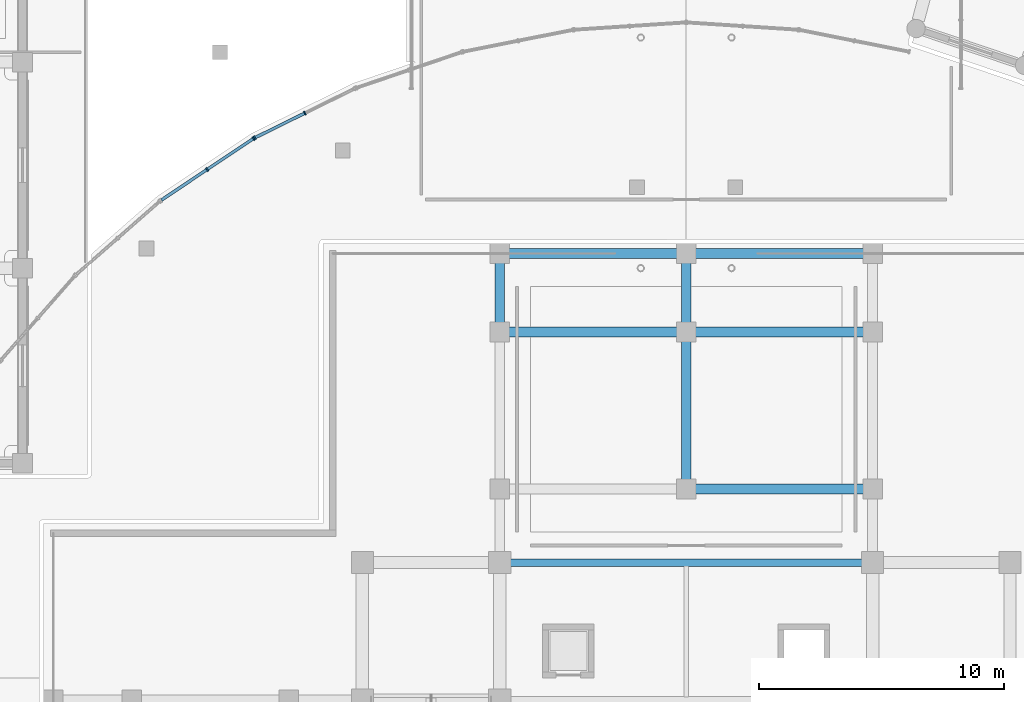
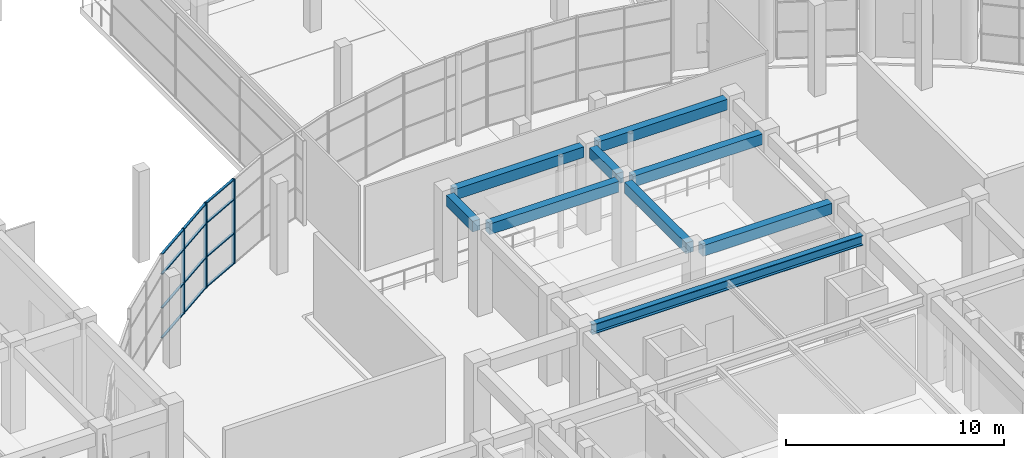
# One storey, part 38 of 99: 16 members, 9 beams, 2 elements without a shape of their own.
"""IFC4 building model written with IfcOpenShell, lengths in metres."""

from ifc_helpers import new_model, si_unit, direction, frame, origin, origin_2d, place, context, subcontext, project, spatial, rectangle, i_section, extrude, material, material_profile, profile_set, type_object, element, aggregate, save


model = new_model("IFC4")

# Units and contexts
model_context = context("Model", 3, precision=1e-05, world=origin(), true_north=direction((0.0, 1.0)))
body_context = subcontext(model_context, "Body", "Model", "MODEL_VIEW")
ifc_project = project(units=[si_unit("LENGTHUNIT", "METRE"), si_unit("AREAUNIT", "SQUARE_METRE"), si_unit("VOLUMEUNIT", "CUBIC_METRE"), si_unit("PLANEANGLEUNIT", "RADIAN"), si_unit("MASSUNIT", "GRAM", prefix="KILO")], contexts=[model_context])

# Site, building, storey
site_placement = place(None, origin())
site = spatial("IfcSite", under=ifc_project, at=site_placement, CompositionType="ELEMENT")
building_placement = place(site_placement, origin())
building = spatial("IfcBuilding", under=site, at=building_placement, Name="Saryqyr Civic Hall", CompositionType="ELEMENT")
storey_placement = place(building_placement, origin())
storey = spatial("IfcBuildingStorey", under=building, at=storey_placement, Name="L00", CompositionType="ELEMENT", Elevation=0.0)

# Curtain wall, members
ifc_material_1 = material(Name="Anodised aluminium and triple low-E glass", Category="aluminium")
curtain_wall_type = type_object("IfcCurtainWallType", Name="ENV-CW-STD-67", PredefinedType="NOTDEFINED", material=ifc_material_1)
curtain_wall_1_placement = place(storey_placement, origin())
curtain_wall_1 = element("IfcCurtainWall", 1, at=curtain_wall_1_placement, inside=storey, type_object=curtain_wall_type, Name="Curtain wall V2-PERIM-CW-L00-15", PredefinedType="NOTDEFINED")
ifc_material_2 = material(Name="Anodised aluminium", Category="aluminium")
ifc_material_profile_1 = material_profile(ifc_material_2, rectangle(XDim=0.06005859375, YDim=0.159912109375, at=origin_2d()), Name="ALU MULLION 60x160")
ifc_profile_set_1 = profile_set([ifc_material_profile_1], Name="Anodised aluminium")
member_type_1 = type_object("IfcMemberType", Name="ENV-CW-MUL-180", PredefinedType="MULLION", material=ifc_profile_set_1)
member_1_placement = place(storey_placement, frame((39.4169921875, 114.5146484375, 0.0), z_axis=(0.0, 0.0, 1.0), x_axis=(0.896875116746, 0.442283873729, 0.0)))
member_1 = element("IfcMember", 2, at=member_1_placement, type_object=member_type_1, Name="CW-67 mullion 1", PredefinedType="MULLION", context=body_context, shape_type="SweptSolid", body=[
    extrude(rectangle(XDim=0.06005859375, YDim=0.159912109375, at=origin_2d()), origin(), (0.0, 0.0, 1.0), 4.75),
])
member_2_placement = place(storey_placement, frame((41.4560546875, 115.520263671875, 0.0), z_axis=(0.0, 0.0, 1.0), x_axis=(0.896875116746, 0.442283873729, 0.0)))
member_2 = element("IfcMember", 3, at=member_2_placement, type_object=member_type_1, Name="CW-67 mullion 2", PredefinedType="MULLION", context=body_context, shape_type="SweptSolid", body=[
    extrude(rectangle(XDim=0.06005859375, YDim=0.159912109375, at=origin_2d()), origin(), (0.0, 0.0, 1.0), 4.75),
])

curtain_wall_2_placement = place(storey_placement, origin())
curtain_wall_2 = element("IfcCurtainWall", 4, at=curtain_wall_2_placement, inside=storey, type_object=curtain_wall_type, Name="Curtain wall V2-PERIM-CW-L00-16", PredefinedType="NOTDEFINED")
member_3_placement = place(storey_placement, frame((37.474609375, 113.2216796875, 0.0), z_axis=(0.0, 0.0, 1.0), x_axis=(0.831472128078, 0.555566467877, 0.0)))
member_3 = element("IfcMember", 5, at=member_3_placement, type_object=member_type_1, Name="CW-67 mullion 2", PredefinedType="MULLION", context=body_context, shape_type="SweptSolid", body=[
    extrude(rectangle(XDim=0.06005859375, YDim=0.159912109375, at=origin_2d()), origin(), (0.0, 0.0, 1.0), 4.75),
])
member_4_placement = place(storey_placement, frame((39.364990234375, 114.484619140625, 0.0), z_axis=(0.0, 0.0, 1.0), x_axis=(0.831472128078, 0.555566467877, 0.0)))
member_4 = element("IfcMember", 6, at=member_4_placement, type_object=member_type_1, Name="CW-67 mullion 3", PredefinedType="MULLION", context=body_context, shape_type="SweptSolid", body=[
    extrude(rectangle(XDim=0.06005859375, YDim=0.159912109375, at=origin_2d()), origin(), (0.0, 0.0, 1.0), 4.75),
])

# Member
ifc_material_profile_2 = material_profile(ifc_material_2, rectangle(XDim=0.1201171875, YDim=0.06005859375, at=origin_2d()), Name="ALU TRANSOM 120x60")
ifc_profile_set_2 = profile_set([ifc_material_profile_2], Name="Anodised aluminium")
member_type_2 = type_object("IfcMemberType", Name="ENV-CW-TRN-150", PredefinedType="USERDEFINED", material=ifc_profile_set_2)
member_5_placement = place(storey_placement, frame((39.44384765625, 114.52783203125, 0.030029296875), z_axis=(0.896862479168, 0.442309499627, 0.0), x_axis=(-0.442309499627, 0.896862479168, 0.0)))
member_5 = element("IfcMember", 7, at=member_5_placement, type_object=member_type_2, Name="CW-67 transom 1.1", ObjectType="TRANSOM", PredefinedType="USERDEFINED", context=body_context, shape_type="SweptSolid", body=[
    extrude(rectangle(XDim=0.1201171875, YDim=0.06005859375, at=origin_2d()), origin(), (0.0, 0.0, 1.0), 2.21337890625),
])

member_6_placement = place(storey_placement, frame((39.44384765625, 114.52783203125, 1.7099609375), z_axis=(0.896862479168, 0.442309499627, 0.0), x_axis=(-0.442309499627, 0.896862479168, 0.0)))
member_6 = element("IfcMember", 8, at=member_6_placement, type_object=member_type_2, Name="CW-67 transom 1.2", ObjectType="TRANSOM", PredefinedType="USERDEFINED", context=body_context, shape_type="SweptSolid", body=[
    extrude(rectangle(XDim=0.1201171875, YDim=0.06005859375, at=origin_2d()), origin(), (0.0, 0.0, 1.0), 2.21337890625),
])

member_7_placement = place(storey_placement, frame((39.44384765625, 114.52783203125, 3.610107421875), z_axis=(0.896862479168, 0.442309499627, 0.0), x_axis=(-0.442309499627, 0.896862479168, 0.0)))
member_7 = element("IfcMember", 9, at=member_7_placement, type_object=member_type_2, Name="CW-67 transom 1.3", ObjectType="TRANSOM", PredefinedType="USERDEFINED", context=body_context, shape_type="SweptSolid", body=[
    extrude(rectangle(XDim=0.1201171875, YDim=0.06005859375, at=origin_2d()), origin(), (0.0, 0.0, 1.0), 2.21337890625),
])

member_8_placement = place(storey_placement, frame((39.44384765625, 114.52783203125, 4.719970703125), z_axis=(0.896862479168, 0.442309499627, 0.0), x_axis=(-0.442309499627, 0.896862479168, 0.0)))
member_8 = element("IfcMember", 10, at=member_8_placement, type_object=member_type_2, Name="CW-67 transom 1.4", ObjectType="TRANSOM", PredefinedType="USERDEFINED", context=body_context, shape_type="SweptSolid", body=[
    extrude(rectangle(XDim=0.1201171875, YDim=0.06005859375, at=origin_2d()), origin(), (0.0, 0.0, 1.0), 2.21337890625),
])

aggregate(curtain_wall_1, [member_1, member_2, member_5, member_6, member_7, member_8])

member_9_placement = place(storey_placement, frame((35.609375, 111.975341796875, 0.030029296875), z_axis=(0.831455883958, 0.555590778389, 0.0), x_axis=(-0.555590778389, 0.831455883958, 0.0)))
member_9 = element("IfcMember", 11, at=member_9_placement, type_object=member_type_2, Name="CW-67 transom 1.1", ObjectType="TRANSOM", PredefinedType="USERDEFINED", context=body_context, shape_type="SweptSolid", body=[
    extrude(rectangle(XDim=0.1201171875, YDim=0.06005859375, at=origin_2d()), origin(), (0.0, 0.0, 1.0), 2.21337890625),
])

member_10_placement = place(storey_placement, frame((35.609375, 111.975341796875, 1.7099609375), z_axis=(0.831455883958, 0.555590778389, 0.0), x_axis=(-0.555590778389, 0.831455883958, 0.0)))
member_10 = element("IfcMember", 12, at=member_10_placement, type_object=member_type_2, Name="CW-67 transom 1.2", ObjectType="TRANSOM", PredefinedType="USERDEFINED", context=body_context, shape_type="SweptSolid", body=[
    extrude(rectangle(XDim=0.1201171875, YDim=0.06005859375, at=origin_2d()), origin(), (0.0, 0.0, 1.0), 2.21337890625),
])

member_11_placement = place(storey_placement, frame((35.609375, 111.975341796875, 3.610107421875), z_axis=(0.831455883958, 0.555590778389, 0.0), x_axis=(-0.555590778389, 0.831455883958, 0.0)))
member_11 = element("IfcMember", 13, at=member_11_placement, type_object=member_type_2, Name="CW-67 transom 1.3", ObjectType="TRANSOM", PredefinedType="USERDEFINED", context=body_context, shape_type="SweptSolid", body=[
    extrude(rectangle(XDim=0.1201171875, YDim=0.06005859375, at=origin_2d()), origin(), (0.0, 0.0, 1.0), 2.21337890625),
])

member_12_placement = place(storey_placement, frame((35.609375, 111.975341796875, 4.719970703125), z_axis=(0.831455883958, 0.555590778389, 0.0), x_axis=(-0.555590778389, 0.831455883958, 0.0)))
member_12 = element("IfcMember", 14, at=member_12_placement, type_object=member_type_2, Name="CW-67 transom 1.4", ObjectType="TRANSOM", PredefinedType="USERDEFINED", context=body_context, shape_type="SweptSolid", body=[
    extrude(rectangle(XDim=0.1201171875, YDim=0.06005859375, at=origin_2d()), origin(), (0.0, 0.0, 1.0), 2.21337890625),
])

member_13_placement = place(storey_placement, frame((37.499755859375, 113.23828125, 0.030029296875), z_axis=(0.831455883958, 0.555590778389, 0.0), x_axis=(-0.555590778389, 0.831455883958, 0.0)))
member_13 = element("IfcMember", 15, at=member_13_placement, type_object=member_type_2, Name="CW-67 transom 2.1", ObjectType="TRANSOM", PredefinedType="USERDEFINED", context=body_context, shape_type="SweptSolid", body=[
    extrude(rectangle(XDim=0.1201171875, YDim=0.06005859375, at=origin_2d()), origin(), (0.0, 0.0, 1.0), 2.21337890625),
])

member_14_placement = place(storey_placement, frame((37.499755859375, 113.23828125, 1.7099609375), z_axis=(0.831455883958, 0.555590778389, 0.0), x_axis=(-0.555590778389, 0.831455883958, 0.0)))
member_14 = element("IfcMember", 16, at=member_14_placement, type_object=member_type_2, Name="CW-67 transom 2.2", ObjectType="TRANSOM", PredefinedType="USERDEFINED", context=body_context, shape_type="SweptSolid", body=[
    extrude(rectangle(XDim=0.1201171875, YDim=0.06005859375, at=origin_2d()), origin(), (0.0, 0.0, 1.0), 2.21337890625),
])

member_15_placement = place(storey_placement, frame((37.499755859375, 113.23828125, 3.610107421875), z_axis=(0.831455883958, 0.555590778389, 0.0), x_axis=(-0.555590778389, 0.831455883958, 0.0)))
member_15 = element("IfcMember", 17, at=member_15_placement, type_object=member_type_2, Name="CW-67 transom 2.3", ObjectType="TRANSOM", PredefinedType="USERDEFINED", context=body_context, shape_type="SweptSolid", body=[
    extrude(rectangle(XDim=0.1201171875, YDim=0.06005859375, at=origin_2d()), origin(), (0.0, 0.0, 1.0), 2.21337890625),
])

member_16_placement = place(storey_placement, frame((37.499755859375, 113.23828125, 4.719970703125), z_axis=(0.831455883958, 0.555590778389, 0.0), x_axis=(-0.555590778389, 0.831455883958, 0.0)))
member_16 = element("IfcMember", 18, at=member_16_placement, type_object=member_type_2, Name="CW-67 transom 2.4", ObjectType="TRANSOM", PredefinedType="USERDEFINED", context=body_context, shape_type="SweptSolid", body=[
    extrude(rectangle(XDim=0.1201171875, YDim=0.06005859375, at=origin_2d()), origin(), (0.0, 0.0, 1.0), 2.21337890625),
])

aggregate(curtain_wall_2, [member_3, member_4, member_9, member_10, member_11, member_12, member_13, member_14, member_15, member_16])

# Beams
ifc_material_3 = material(Name="Steel S355", Category="steel")
ifc_material_profile_3 = material_profile(ifc_material_3, i_section(OverallWidth=0.300048828125, OverallDepth=0.550048828125, WebThickness=0.014892578125, FlangeThickness=0.029052734375, at=origin_2d()), Name="HEB 550")
ifc_profile_set_3 = profile_set([ifc_material_profile_3], Name="Steel S355")
beam_type_1 = type_object("IfcBeamType", Name="STR-BM-HEB550", PredefinedType="BEAM", material=ifc_profile_set_3)
beam_1_placement = place(storey_placement, frame((49.824951171875, 97.199951171875, 4.544921875), z_axis=(1.0, 0.0, 0.0), x_axis=(0.0, 1.0, 0.0)))
element("IfcBeam", 19, at=beam_1_placement, inside=storey, type_object=beam_type_1, Name="Beam V1-GBM-EW4-L00", PredefinedType="BEAM", context=body_context, shape_type="SweptSolid", body=[
    extrude(i_section(OverallWidth=0.300048828125, OverallDepth=0.550048828125, WebThickness=0.014892578125, FlangeThickness=0.029052734375, at=origin_2d()), origin(), (0.0, 0.0, 1.0), 14.35009765625),
])
ifc_material_4 = material(Name="Concrete C35/45", Category="concrete")
ifc_material_profile_4 = material_profile(ifc_material_4, rectangle(XDim=0.39990234375, YDim=0.60009765625, at=origin_2d()), Name="RC 400x600")
ifc_profile_set_4 = profile_set([ifc_material_profile_4], Name="Concrete C35/45")
beam_type_2 = type_object("IfcBeamType", Name="STR-BM-RC400x600", PredefinedType="BEAM", material=ifc_profile_set_4)
for number, where, z_axis, x_axis, name in (
    (20, (49.39990234375, 106.97509765625, 4.52001953125), (0.0, 1.0, 0.0), (-1.0, 0.0, 0.0), "Beam V1-TBM-10-L00"),
    (21, (57.0, 106.97509765625, 4.52001953125), (0.0, 1.0, 0.0), (-1.0, 0.0, 0.0), "Beam V1-TBM-11-L00"),
):
    element("IfcBeam", number, at=place(storey_placement, frame(where, z_axis=z_axis, x_axis=x_axis)), inside=storey, type_object=beam_type_2, Name=name, PredefinedType="BEAM", context=body_context, shape_type="SweptSolid", body=[
        extrude(rectangle(XDim=0.39990234375, YDim=0.60009765625, at=origin_2d()), origin(), (0.0, 0.0, 1.0), 2.449951171875),
    ])
for number, where, z_axis, x_axis, name in (
    (22, (49.77490234375, 109.800048828125, 4.52001953125), (1.0, 0.0, 0.0), (0.0, 1.0, 0.0), "Beam V1-TBM-19-L00"),
    (23, (57.375, 109.800048828125, 4.52001953125), (1.0, 0.0, 0.0), (0.0, 1.0, 0.0), "Beam V1-TBM-20-L00"),
):
    element("IfcBeam", number, at=place(storey_placement, frame(where, z_axis=z_axis, x_axis=x_axis)), inside=storey, type_object=beam_type_2, Name=name, PredefinedType="BEAM", context=body_context, shape_type="SweptSolid", body=[
        extrude(rectangle(XDim=0.39990234375, YDim=0.60009765625, at=origin_2d()), origin(), (0.0, 0.0, 1.0), 6.85009765625),
    ])
beam_2_placement = place(storey_placement, frame((57.0, 100.574951171875, 4.52001953125), z_axis=(0.0, 1.0, 0.0), x_axis=(-1.0, 0.0, 0.0)))
element("IfcBeam", 24, at=beam_2_placement, inside=storey, type_object=beam_type_2, Name="Beam V1-TBM-31-L00", PredefinedType="BEAM", context=body_context, shape_type="SweptSolid", body=[
    extrude(rectangle(XDim=0.39990234375, YDim=0.60009765625, at=origin_2d()), origin(), (0.0, 0.0, 1.0), 5.650146484375),
])
for number, where, z_axis, x_axis, name in (
    (25, (49.77490234375, 106.60009765625, 4.52001953125), (1.0, 0.0, 0.0), (0.0, 1.0, 0.0), "Beam V1-TBM-39-L00"),
    (26, (57.375, 106.60009765625, 4.52001953125), (1.0, 0.0, 0.0), (0.0, 1.0, 0.0), "Beam V1-TBM-40-L00"),
    (27, (57.375, 100.199951171875, 4.52001953125), (1.0, 0.0, 0.0), (0.0, 1.0, 0.0), "Beam V1-TBM-58-L00"),
):
    element("IfcBeam", number, at=place(storey_placement, frame(where, z_axis=z_axis, x_axis=x_axis)), inside=storey, type_object=beam_type_2, Name=name, PredefinedType="BEAM", context=body_context, shape_type="SweptSolid", body=[
        extrude(rectangle(XDim=0.39990234375, YDim=0.60009765625, at=origin_2d()), origin(), (0.0, 0.0, 1.0), 6.85009765625),
    ])

save(model, "model.ifc")
